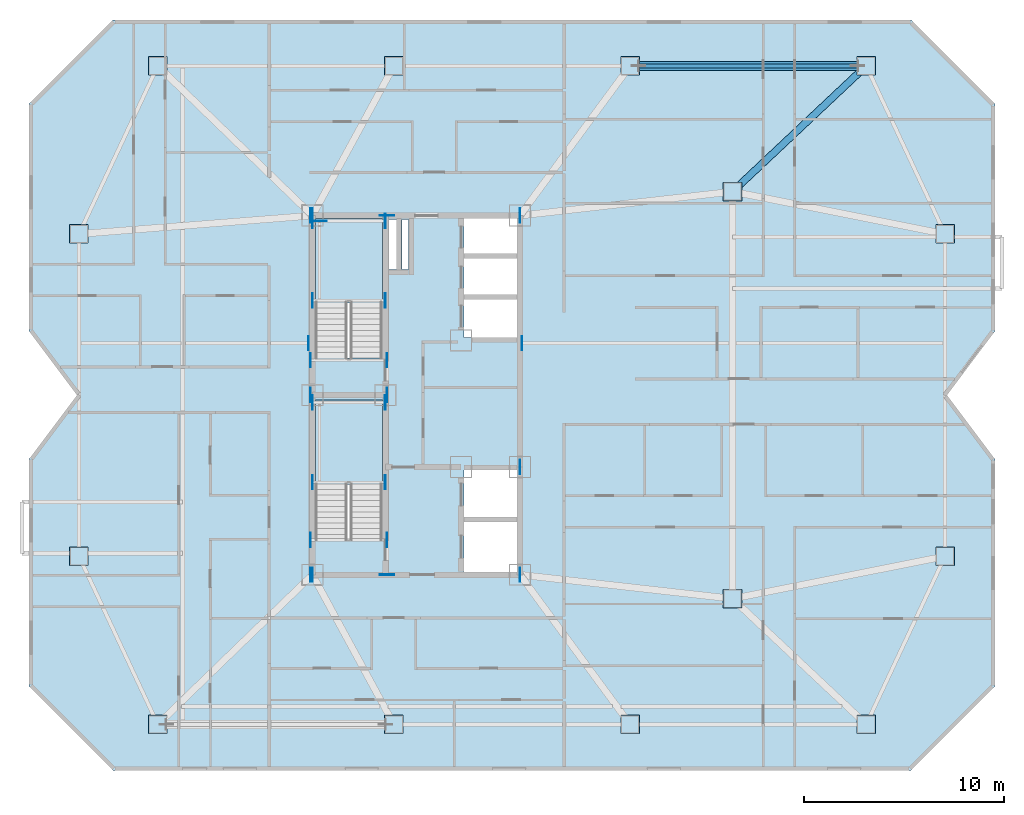
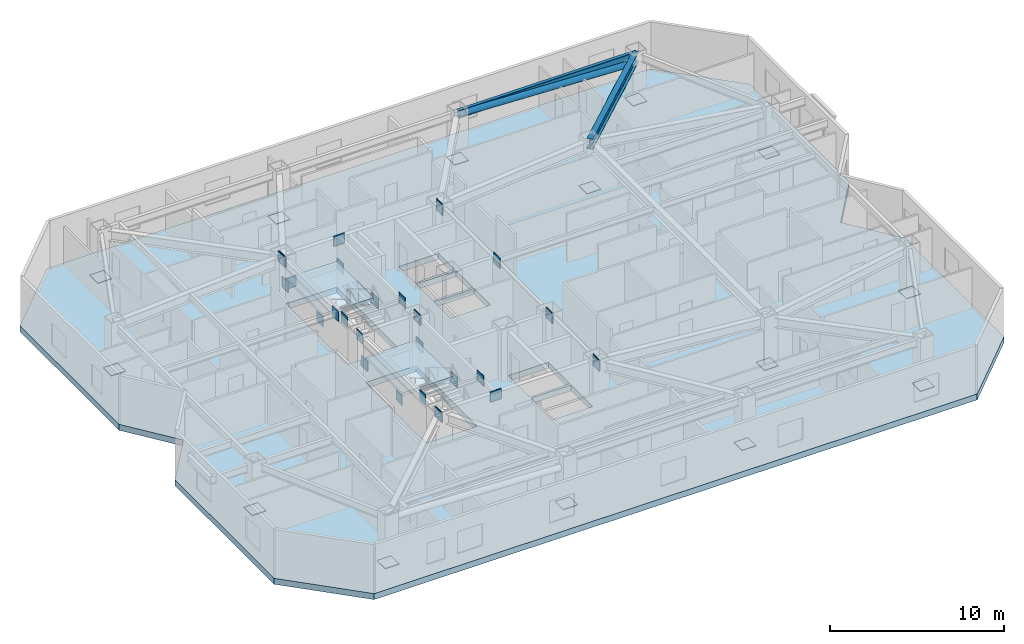
# One storey, part 2 of 11: 42 plates, 3 slabs, 2 beams, 1 member, 2 elements without a shape of their own.
"""IFC4 building model written with IfcOpenShell, lengths in metres."""

from ifc_helpers import new_model, si_unit, direction, frame, origin, origin_2d, place, context, subcontext, project, spatial, polyline, rectangle, hollow_circle, i_section, outline, extrude, material, layer, layer_set, material_profile, profile_set, type_object, element, aggregate, save


model = new_model("IFC4")

# Units and contexts
model_context = context("Model", 3, precision=1e-05, world=origin(), true_north=direction((0.0, 1.0)))
body_context = subcontext(model_context, "Body", "Model", "MODEL_VIEW")
ifc_project = project(units=[si_unit("LENGTHUNIT", "METRE"), si_unit("AREAUNIT", "SQUARE_METRE"), si_unit("VOLUMEUNIT", "CUBIC_METRE"), si_unit("PLANEANGLEUNIT", "RADIAN"), si_unit("MASSUNIT", "GRAM", prefix="KILO")], contexts=[model_context])

# Site, building, storey
site_placement = place(None, origin())
site = spatial("IfcSite", under=ifc_project, at=site_placement, CompositionType="ELEMENT")
building_placement = place(site_placement, origin())
building = spatial("IfcBuilding", under=site, at=building_placement, Name="Khamvora Tower", CompositionType="ELEMENT")
storey_placement = place(building_placement, frame((0.0, 0.0, 155.89990234375)))
storey = spatial("IfcBuildingStorey", under=building, at=storey_placement, Name="L39", CompositionType="ELEMENT", Elevation=155.89990234375)

# Beams
ifc_material_1 = material(Name="Steel S355", Category="steel")
ifc_material_profile_1 = material_profile(ifc_material_1, i_section(OverallWidth=0.35498046875, OverallDepth=0.695068359375, WebThickness=0.014892578125, FlangeThickness=0.02490234375, FilletRadius=0.01611328125, at=origin_2d()), Name="W690x217")
ifc_profile_set_1 = profile_set([ifc_material_profile_1], Name="Steel S355")
beam_type_1 = type_object("IfcBeamType", Name="BM-PG-W690x217", PredefinedType="BEAM", material=ifc_profile_set_1)
beam_1_placement = place(storey_placement, frame((50.050048828125, 38.199951171875, 3.0830078125), z_axis=(0.728513992294, 0.685030921224, 0.0), x_axis=(-0.685030921224, 0.728513992294, 0.0)))
element("IfcBeam", 1, at=beam_1_placement, inside=storey, type_object=beam_type_1, Name="L39 primary floor girder N4", PredefinedType="BEAM", context=body_context, shape_type="SweptSolid", body=[
    extrude(i_section(OverallWidth=0.35498046875, OverallDepth=0.695068359375, WebThickness=0.014892578125, FlangeThickness=0.02490234375, FilletRadius=0.01611328125, at=origin_2d()), origin(), (0.0, 0.0, 1.0), 9.19677734375),
])
ifc_material_profile_2 = material_profile(ifc_material_1, i_section(OverallWidth=0.2119140625, OverallDepth=0.5439453125, WebThickness=0.012939453125, FlangeThickness=0.02099609375, FilletRadius=0.013916015625, at=origin_2d()), Name="W530x123")
ifc_profile_set_2 = profile_set([ifc_material_profile_2], Name="Steel S355")
beam_type_2 = type_object("IfcBeamType", Name="BM-SP-W530x123", PredefinedType="SPANDREL", material=ifc_profile_set_2)
beam_2_placement = place(storey_placement, frame((56.75, 44.5, 3.158203125), z_axis=(-1.0, 0.0, 0.0), x_axis=(0.0, -1.0, 0.0)))
element("IfcBeam", 2, at=beam_2_placement, inside=storey, type_object=beam_type_2, Name="L39 perimeter spandrel beam N4-N3", PredefinedType="SPANDREL", context=body_context, shape_type="SweptSolid", body=[
    extrude(i_section(OverallWidth=0.2119140625, OverallDepth=0.5439453125, WebThickness=0.012939453125, FlangeThickness=0.02099609375, FilletRadius=0.013916015625, at=origin_2d()), origin(), (0.0, 0.0, 1.0), 11.8330078125),
])

# Member
ifc_material_profile_3 = material_profile(ifc_material_1, hollow_circle(Radius=0.228515625, WallThickness=0.02001953125, at=origin_2d()), Name="CHS457x20")
ifc_profile_set_3 = profile_set([ifc_material_profile_3], Name="Steel S355")
member_type = type_object("IfcMemberType", Name="MEM-BR-CHS457", PredefinedType="BRACE", material=ifc_profile_set_3)
member_placement = place(storey_placement, frame((56.320068359375, 44.5, 2.697998046875), z_axis=(-0.999174860809, 0.0, 0.040615237634), x_axis=(0.0, -1.0, 0.0)))
element("IfcMember", 3, at=member_placement, inside=storey, type_object=member_type, Name="L39 perimeter wind brace 2", PredefinedType="BRACE", context=body_context, shape_type="SweptSolid", body=[
    extrude(hollow_circle(Radius=0.228515625, WallThickness=0.02001953125, at=origin_2d()), origin(), (0.0, 0.0, 1.0), 10.982177734375),
])

# Plates
ifc_layer_1 = layer(ifc_material_1, 0.02490234375)
ifc_layer_set_1 = layer_set([ifc_layer_1], Name="Steel S355")
plate_type_1 = type_object("IfcPlateType", Name="PL-CAP-25", PredefinedType="SHEET", material=ifc_layer_set_1)
for number, where, z_axis, x_axis, name in (
    (4, (21.25, 11.5, -0.000244140625), (0.0, 0.0, 1.0), (1.0, 0.0, 0.0), "L39 hollow section steel end cap plate 0188"),
    (5, (33.080078125, 11.5, -0.000244140625), (0.0, 0.0, 1.0), (1.0, 0.0, 0.0), "L39 hollow section steel end cap plate 0191"),
    (6, (44.919921875, 11.5, -0.000244140625), (0.0, 0.0, 1.0), (1.0, 0.0, 0.0), "L39 hollow section steel end cap plate 0194"),
    (7, (56.75, 11.5, -0.000244140625), (0.0, 0.0, 1.0), (1.0, 0.0, 0.0), "L39 hollow section steel end cap plate 0197"),
    (8, (21.25, 44.5, -0.000244140625), (0.0, 0.0, 1.0), (1.0, 0.0, 0.0), "L39 hollow section steel end cap plate 0200"),
    (9, (33.080078125, 44.5, -0.000244140625), (0.0, 0.0, 1.0), (1.0, 0.0, 0.0), "L39 hollow section steel end cap plate 0203"),
    (10, (44.919921875, 44.5, -0.000244140625), (0.0, 0.0, 1.0), (1.0, 0.0, 0.0), "L39 hollow section steel end cap plate 0206"),
    (11, (56.75, 44.5, -0.000244140625), (0.0, 0.0, 1.0), (1.0, 0.0, 0.0), "L39 hollow section steel end cap plate 0209"),
    (12, (17.300048828125, 19.929931640625, -0.000244140625), (0.0, 0.0, 1.0), (1.0, 0.0, 0.0), "L39 hollow section steel end cap plate 0212"),
    (13, (17.300048828125, 36.080078125, -0.000244140625), (0.0, 0.0, 1.0), (1.0, 0.0, 0.0), "L39 hollow section steel end cap plate 0215"),
    (14, (60.699951171875, 19.929931640625, -0.000244140625), (0.0, 0.0, 1.0), (1.0, 0.0, 0.0), "L39 hollow section steel end cap plate 0218"),
    (15, (60.699951171875, 36.080078125, -0.000244140625), (0.0, 0.0, 1.0), (1.0, 0.0, 0.0), "L39 hollow section steel end cap plate 0221"),
    (16, (50.050048828125, 17.800048828125, -0.000244140625), (0.0, 0.0, 1.0), (1.0, 0.0, 0.0), "L39 hollow section steel end cap plate 0224"),
    (17, (50.050048828125, 38.199951171875, -0.000244140625), (0.0, 0.0, 1.0), (1.0, 0.0, 0.0), "L39 hollow section steel end cap plate 0227"),
):
    element("IfcPlate", number, at=place(storey_placement, frame(where, z_axis=z_axis, x_axis=x_axis)), inside=storey, type_object=plate_type_1, Name=name, PredefinedType="SHEET", context=body_context, shape_type="SweptSolid", body=[
        extrude(rectangle(XDim=0.929931640625, YDim=0.929931640625, at=origin_2d()), origin(), (0.0, 0.0, 1.0), 0.02490234375),
    ])
ifc_material_2 = material(Name="Steel S460", Category="steel")
ifc_layer_2 = layer(ifc_material_2, 0.034912109375)
ifc_layer_set_2 = layer_set([ifc_layer_2], Name="Steel S460")
plate_type_2 = type_object("IfcPlateType", Name="PL-EMB-35", PredefinedType="SHEET", material=ifc_layer_set_2)
for number, where, z_axis, x_axis, name in (
    (18, (29.0, 23.635009765625, 1.13427734375), (0.0, 0.0, 1.0), (1.0, 0.0, 0.0), "L39 core shear wall cast-in embed plate 1142"),
    (19, (32.64990234375, 23.635009765625, 1.13427734375), (0.0, 0.0, 1.0), (1.0, 0.0, 0.0), "L39 core shear wall cast-in embed plate 1143"),
    (20, (29.0, 27.6298828125, 1.13427734375), (0.0, 0.0, 1.0), (1.0, 0.0, 0.0), "L39 core shear wall cast-in embed plate 1144"),
    (21, (32.64990234375, 27.6298828125, 1.13427734375), (0.0, 0.0, 1.0), (1.0, 0.0, 0.0), "L39 core shear wall cast-in embed plate 1145"),
    (22, (29.0, 32.735107421875, 1.13427734375), (0.0, 0.0, 1.0), (1.0, 0.0, 0.0), "L39 core shear wall cast-in embed plate 1146"),
    (23, (32.64990234375, 32.735107421875, 1.13427734375), (0.0, 0.0, 1.0), (1.0, 0.0, 0.0), "L39 core shear wall cast-in embed plate 1147"),
    (24, (29.0, 36.72998046875, 1.13427734375), (0.0, 0.0, 1.0), (1.0, 0.0, 0.0), "L39 core shear wall cast-in embed plate 1148"),
    (25, (32.64990234375, 36.72998046875, 1.13427734375), (0.0, 0.0, 1.0), (1.0, 0.0, 0.0), "L39 core shear wall cast-in embed plate 1149"),
):
    element("IfcPlate", number, at=place(storey_placement, frame(where, z_axis=z_axis, x_axis=x_axis)), inside=storey, type_object=plate_type_2, Name=name, PredefinedType="SHEET", context=body_context, shape_type="SweptSolid", body=[
        extrude(rectangle(XDim=0.034912109375, YDim=0.719970703125, at=origin_2d()), origin(), (0.0, 0.0, 1.0), 0.719970703125),
    ])
plate_1_placement = place(storey_placement, frame((29.35009765625, 36.72998046875, 1.13427734375), z_axis=(0.0, 0.0, 1.0), x_axis=(1.0, 0.0, 0.0)))
element("IfcPlate", 26, at=plate_1_placement, inside=storey, type_object=plate_type_2, Name="L39 core shear wall cast-in embed plate 1150", PredefinedType="SHEET", context=body_context, shape_type="SweptSolid", body=[
    extrude(rectangle(XDim=0.719970703125, YDim=0.034912109375, at=origin_2d()), origin(), (0.0, 0.0, 1.0), 0.719970703125),
])
for number, where, z_axis, x_axis, name in (
    (27, (29.0, 19.0, 2.72314453125), (0.0, 0.0, 1.0), (1.0, 0.0, 0.0), "L39 core shear wall cast-in embed plate 1151"),
    (28, (39.39990234375, 19.0, 2.72314453125), (0.0, 0.0, 1.0), (1.0, 0.0, 0.0), "L39 core shear wall cast-in embed plate 1152"),
    (29, (29.0, 37.0, 2.72314453125), (0.0, 0.0, 1.0), (1.0, 0.0, 0.0), "L39 core shear wall cast-in embed plate 1153"),
    (30, (39.39990234375, 37.0, 2.72314453125), (0.0, 0.0, 1.0), (1.0, 0.0, 0.0), "L39 core shear wall cast-in embed plate 1154"),
    (31, (28.89990234375, 19.0, 2.80419921875), (0.0, 0.0, 1.0), (1.0, 0.0, 0.0), "L39 core shear wall cast-in embed plate 1155"),
    (32, (28.89990234375, 28.0, 2.80419921875), (0.0, 0.0, 1.0), (1.0, 0.0, 0.0), "L39 core shear wall cast-in embed plate 1156"),
    (33, (28.89990234375, 37.0, 2.80419921875), (0.0, 0.0, 1.0), (1.0, 0.0, 0.0), "L39 core shear wall cast-in embed plate 1157"),
):
    element("IfcPlate", number, at=place(storey_placement, frame(where, z_axis=z_axis, x_axis=x_axis)), inside=storey, type_object=plate_type_2, Name=name, PredefinedType="SHEET", context=body_context, shape_type="SweptSolid", body=[
        extrude(rectangle(XDim=0.034912109375, YDim=0.719970703125, at=origin_2d()), origin(), (0.0, 0.0, 1.0), 0.719970703125),
    ])
plate_2_placement = place(storey_placement, frame((32.72998046875, 19.0, 2.80419921875), z_axis=(0.0, 0.0, 1.0), x_axis=(1.0, 0.0, 0.0)))
element("IfcPlate", 34, at=plate_2_placement, inside=storey, type_object=plate_type_2, Name="L39 core shear wall cast-in embed plate 1158", PredefinedType="SHEET", context=body_context, shape_type="SweptSolid", body=[
    extrude(rectangle(XDim=0.719970703125, YDim=0.034912109375, at=origin_2d()), origin(), (0.0, 0.0, 1.0), 0.719970703125),
])
plate_3_placement = place(storey_placement, frame((32.72998046875, 28.0, 2.80419921875), z_axis=(0.0, 0.0, 1.0), x_axis=(1.0, 0.0, 0.0)))
element("IfcPlate", 35, at=plate_3_placement, inside=storey, type_object=plate_type_2, Name="L39 core shear wall cast-in embed plate 1159", PredefinedType="SHEET", context=body_context, shape_type="SweptSolid", body=[
    extrude(rectangle(XDim=0.034912109375, YDim=0.719970703125, at=origin_2d()), origin(), (0.0, 0.0, 1.0), 0.719970703125),
])
plate_4_placement = place(storey_placement, frame((32.72998046875, 37.0, 2.80419921875), z_axis=(0.0, 0.0, 1.0), x_axis=(1.0, 0.0, 0.0)))
element("IfcPlate", 36, at=plate_4_placement, inside=storey, type_object=plate_type_2, Name="L39 core shear wall cast-in embed plate 1160", PredefinedType="SHEET", context=body_context, shape_type="SweptSolid", body=[
    extrude(rectangle(XDim=0.719970703125, YDim=0.034912109375, at=origin_2d()), origin(), (0.0, 0.0, 1.0), 0.719970703125),
])
for number, where, z_axis, x_axis, name in (
    (37, (39.39990234375, 19.0, 2.80419921875), (0.0, 0.0, 1.0), (1.0, 0.0, 0.0), "L39 core shear wall cast-in embed plate 1161"),
    (38, (39.39990234375, 24.39990234375, 2.80419921875), (0.0, 0.0, 1.0), (1.0, 0.0, 0.0), "L39 core shear wall cast-in embed plate 1162"),
    (39, (39.39990234375, 37.0, 2.80419921875), (0.0, 0.0, 1.0), (1.0, 0.0, 0.0), "L39 core shear wall cast-in embed plate 1163"),
    (40, (28.89990234375, 20.75, 2.9443359375), (0.0, 0.0, 1.0), (1.0, 0.0, 0.0), "L39 core shear wall cast-in embed plate 1164"),
    (41, (32.72998046875, 20.75, 2.9443359375), (0.0, 0.0, 1.0), (1.0, 0.0, 0.0), "L39 core shear wall cast-in embed plate 1165"),
    (42, (28.89990234375, 29.75, 2.9443359375), (0.0, 0.0, 1.0), (1.0, 0.0, 0.0), "L39 core shear wall cast-in embed plate 1166"),
    (43, (32.72998046875, 29.75, 2.9443359375), (0.0, 0.0, 1.0), (1.0, 0.0, 0.0), "L39 core shear wall cast-in embed plate 1167"),
    (44, (28.800048828125, 30.60009765625, 2.8671875), (0.0, 0.0, 1.0), (1.0, 0.0, 0.0), "L39 core shear wall cast-in embed plate 1168"),
    (45, (39.4990234375, 30.60009765625, 2.8671875), (0.0, 0.0, 1.0), (1.0, 0.0, 0.0), "L39 core shear wall cast-in embed plate 1169"),
):
    element("IfcPlate", number, at=place(storey_placement, frame(where, z_axis=z_axis, x_axis=x_axis)), inside=storey, type_object=plate_type_2, Name=name, PredefinedType="SHEET", context=body_context, shape_type="SweptSolid", body=[
        extrude(rectangle(XDim=0.034912109375, YDim=0.719970703125, at=origin_2d()), origin(), (0.0, 0.0, 1.0), 0.719970703125),
    ])

# Slab
ifc_material_3 = material(Name="Concrete C40/50", Category="concrete")
ifc_layer_3 = layer(ifc_material_3, 0.419921875)
ifc_layer_set_3 = layer_set([ifc_layer_3], Name="Concrete C40/50")
slab_type_1 = type_object("IfcSlabType", Name="SLB-BASE-420", PredefinedType="FLOOR", material=ifc_layer_set_3)
slab_1_placement = place(storey_placement, frame((0.0, 0.0, -0.419921875)))
element("IfcSlab", 46, at=slab_1_placement, inside=storey, type_object=slab_type_1, Name="L39 structural floor slab", PredefinedType="FLOOR", context=body_context, shape_type="SweptSolid", body=[
    extrude(outline(polyline([(19.0, 9.199951171875), (59.0, 9.199951171875), (63.199951171875, 13.39990234375), (63.199951171875, 24.800048828125), (60.800048828125, 28.0), (63.199951171875, 31.199951171875), (63.199951171875, 42.60009765625), (59.0, 46.800048828125), (19.0, 46.800048828125), (14.800048828125, 42.60009765625), (14.800048828125, 31.199951171875), (17.199951171875, 28.0), (14.800048828125, 24.800048828125), (14.800048828125, 13.39990234375), (19.0, 9.199951171875)]), holes=[polyline([(32.5, 20.760009765625), (32.5, 27.75), (29.14990234375, 27.75), (29.14990234375, 20.760009765625), (32.5, 20.760009765625)]), polyline([(32.5, 29.860107421875), (32.5, 36.85009765625), (29.14990234375, 36.85009765625), (29.14990234375, 29.860107421875), (32.5, 29.860107421875)]), polyline([(36.60009765625, 19.14990234375), (39.25, 19.14990234375), (39.25, 21.64990234375), (36.60009765625, 21.64990234375), (36.60009765625, 19.14990234375)]), polyline([(36.60009765625, 21.800048828125), (39.25, 21.800048828125), (39.25, 24.25), (36.60009765625, 24.25), (36.60009765625, 21.800048828125)]), polyline([(36.60009765625, 30.89990234375), (39.25, 30.89990234375), (39.25, 32.800048828125), (36.60009765625, 32.800048828125), (36.60009765625, 30.89990234375)]), polyline([(36.60009765625, 32.949951171875), (39.25, 32.949951171875), (39.25, 34.85009765625), (36.60009765625, 34.85009765625), (36.60009765625, 32.949951171875)]), polyline([(36.60009765625, 35.0), (39.25, 35.0), (39.25, 36.85009765625), (36.60009765625, 36.85009765625), (36.60009765625, 35.0)]), polyline([(32.800048828125, 34.300048828125), (33.199951171875, 34.300048828125), (33.199951171875, 36.800048828125), (32.800048828125, 36.800048828125), (32.800048828125, 34.300048828125)]), polyline([(33.47998046875, 34.300048828125), (33.820068359375, 34.300048828125), (33.820068359375, 36.800048828125), (33.47998046875, 36.800048828125), (33.47998046875, 34.300048828125)])]), origin(), (0.0, 0.0, 1.0), 0.419921875),
])

# Stair, slab
stair_type_1 = type_object("IfcStairType", Name="STR-ST-01", PredefinedType="HALF_TURN_STAIR", material=ifc_material_3)
stair_1_placement = place(storey_placement, origin())
stair_1 = element("IfcStair", 47, at=stair_1_placement, inside=storey, type_object=stair_type_1, Name="L39 South Tower Exit Stair ST-01", PredefinedType="HALF_TURN_STAIR")
ifc_layer_4 = layer(ifc_material_3, 0.199951171875)
ifc_layer_set_4 = layer_set([ifc_layer_4], Name="Concrete C40/50")
slab_type_2 = type_object("IfcSlabType", Name="SLB-LND-200", PredefinedType="LANDING", material=ifc_layer_set_4)
slab_2_placement = place(storey_placement, frame((0.0, 0.0, 1.625)))
slab_2 = element("IfcSlab", 48, at=slab_2_placement, type_object=slab_type_2, Name="ST-01 landing 1", PredefinedType="LANDING", context=body_context, shape_type="SweptSolid", body=[
    extrude(outline(polyline([(32.5, 23.514892578125), (32.5, 27.75), (29.14990234375, 27.75), (29.14990234375, 23.514892578125), (32.5, 23.514892578125)])), origin(), (0.0, 0.0, 1.0), 0.2001953125),
])
aggregate(stair_1, [slab_2])

stair_type_2 = type_object("IfcStairType", Name="STR-ST-02", PredefinedType="HALF_TURN_STAIR", material=ifc_material_3)
stair_2_placement = place(storey_placement, origin())
stair_2 = element("IfcStair", 49, at=stair_2_placement, inside=storey, type_object=stair_type_2, Name="L39 North Tower Exit Stair ST-02", PredefinedType="HALF_TURN_STAIR")
slab_3_placement = place(storey_placement, frame((0.0, 0.0, 1.625)))
slab_3 = element("IfcSlab", 50, at=slab_3_placement, type_object=slab_type_2, Name="ST-02 landing 1", PredefinedType="LANDING", context=body_context, shape_type="SweptSolid", body=[
    extrude(outline(polyline([(32.5, 32.614990234375), (32.5, 36.85009765625), (29.14990234375, 36.85009765625), (29.14990234375, 32.614990234375), (32.5, 32.614990234375)])), origin(), (0.0, 0.0, 1.0), 0.2001953125),
])
aggregate(stair_2, [slab_3])

save(model, "model.ifc")
